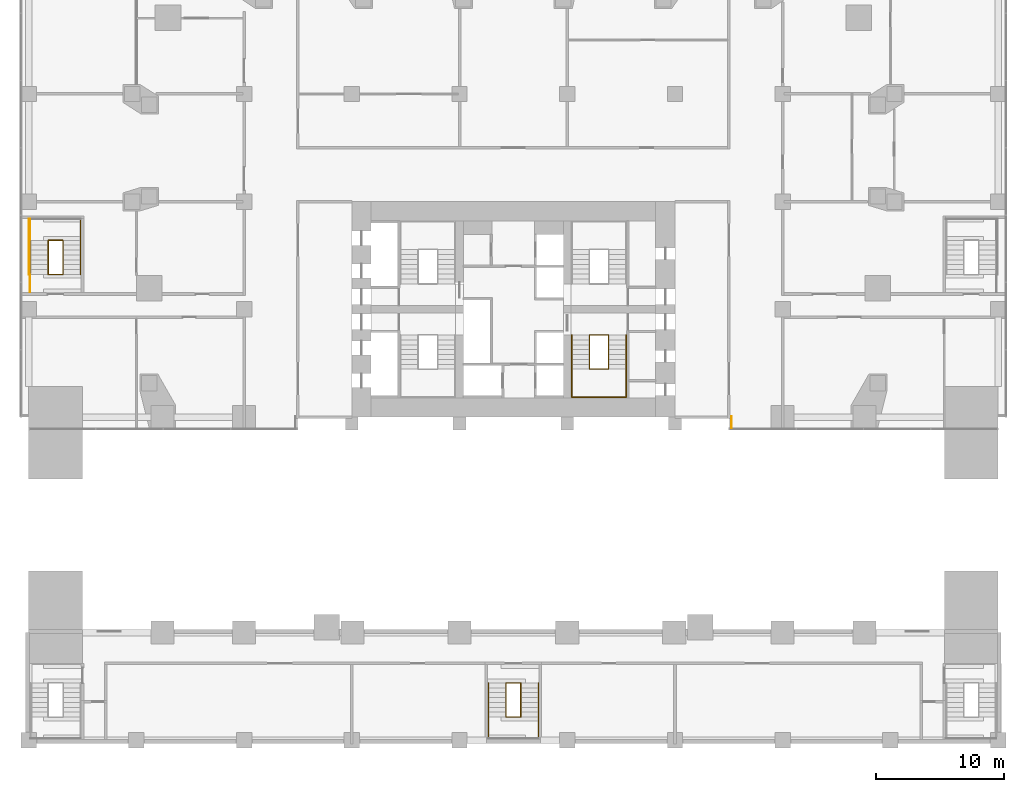
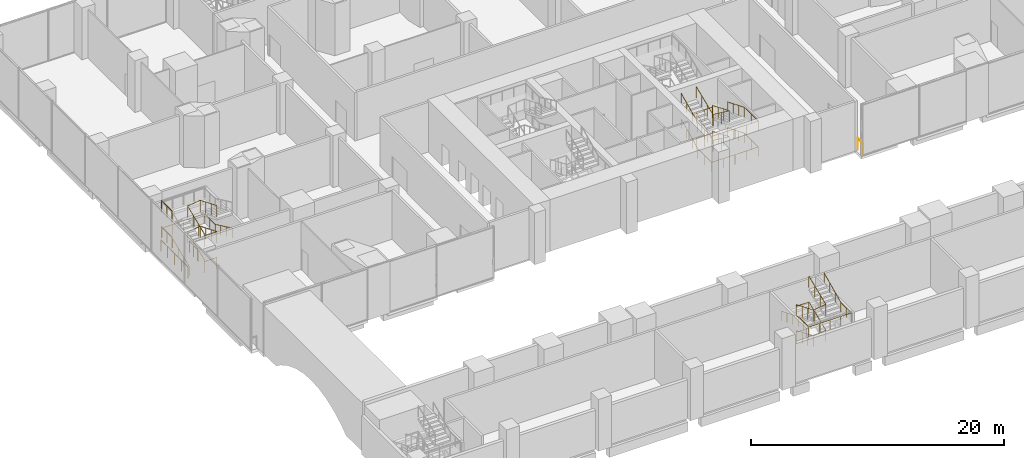
# One storey, part 24 of 28: 15 railings.
"""IFC4 building model written with IfcOpenShell, lengths in metres."""

from ifc_helpers import new_model, si_unit, direction, frame, origin, origin_2d, place, context, subcontext, project, spatial, circle, extrude, material, type_object, element, save


model = new_model("IFC4")

# Units and contexts
model_context = context("Model", 3, precision=1e-05, world=origin(), true_north=direction((0.0, 1.0)))
body_context = subcontext(model_context, "Body", "Model", "MODEL_VIEW")
ifc_project = project(units=[si_unit("LENGTHUNIT", "METRE"), si_unit("AREAUNIT", "SQUARE_METRE"), si_unit("VOLUMEUNIT", "CUBIC_METRE"), si_unit("PLANEANGLEUNIT", "RADIAN"), si_unit("MASSUNIT", "GRAM", prefix="KILO")], contexts=[model_context])

# Site, building, storey
site_placement = place(None, origin())
site = spatial("IfcSite", under=ifc_project, at=site_placement, CompositionType="ELEMENT")
building_placement = place(site_placement, origin())
building = spatial("IfcBuilding", under=site, at=building_placement, Name="Marenta Gate Hotel Tower", CompositionType="ELEMENT")
storey_placement = place(building_placement, frame((0.0, 0.0, 26.0)))
storey = spatial("IfcBuildingStorey", under=building, at=storey_placement, Name="L04", CompositionType="ELEMENT", Elevation=26.0)

# Railings
ifc_material_1 = material(Name="Stainless steel", Category="steel")
railing_type_1 = type_object("IfcRailingType", Name="Core stair handrail 950", PredefinedType="HANDRAIL", material=ifc_material_1)
railing_1_placement = place(storey_placement, frame((8.800048828125, 6.39990234375, 0.15625)))
element("IfcRailing", 1, at=railing_1_placement, inside=storey, type_object=railing_type_1, Name="HR-950 L04-KR-ST3-1", PredefinedType="HANDRAIL", context=body_context, shape_type="SweptSolid", body=[
    extrude(circle(Radius=0.02392578125, at=origin_2d()), frame((0.0, 0.0, 0.92578125), z_axis=(0.0, -0.924862585091, 0.38030145766), x_axis=(1.0, 0.0, 0.0)), (0.0, 0.0, 1.0), 2.8759765625),
    extrude(circle(Radius=0.02392578125, at=origin_2d()), frame((0.0, -2.659912109375, 2.01953125), z_axis=(0.0, -1.0, 0.0), x_axis=(1.0, 0.0, 0.0)), (0.0, 0.0, 1.0), 2.18994140625),
    extrude(circle(Radius=0.02392578125, at=origin_2d()), frame((0.0, -4.849853515625, 2.01953125), z_axis=(-1.0, 0.0, 0.0), x_axis=(0.0, -1.0, 0.0)), (0.0, 0.0, 1.0), 4.25),
    extrude(circle(Radius=0.02392578125, at=origin_2d()), frame((-4.25, -4.849853515625, 2.01953125), z_axis=(0.0, 1.0, 0.0), x_axis=(-1.0, 0.0, 0.0)), (0.0, 0.0, 1.0), 2.18994140625),
    extrude(circle(Radius=0.02392578125, at=origin_2d()), frame((-4.25, -2.659912109375, 2.01953125), z_axis=(0.0, 0.905044486808, 0.425316913488), x_axis=(-1.0, 0.0, 0.0)), (0.0, 0.0, 1.0), 2.93896484375),
    extrude(circle(Radius=0.02099609375, at=origin_2d()), origin(), (0.0, 0.0, 1.0), 0.90185546875),
    extrude(circle(Radius=0.02099609375, at=origin_2d()), frame((0.0, -0.88671875, 0.364501953125)), (0.0, 0.0, 1.0), 0.90185546875),
    extrude(circle(Radius=0.02099609375, at=origin_2d()), frame((0.0, -1.773193359375, 0.729248046875)), (0.0, 0.0, 1.0), 0.90185546875),
    extrude(circle(Radius=0.02099609375, at=origin_2d()), frame((0.0, -2.659912109375, 1.09375)), (0.0, 0.0, 1.0), 0.90185546875),
    extrude(circle(Radius=0.02099609375, at=origin_2d()), frame((0.0, -3.7548828125, 1.09375)), (0.0, 0.0, 1.0), 0.90185546875),
    extrude(circle(Radius=0.02099609375, at=origin_2d()), frame((0.0, -4.849853515625, 1.09375)), (0.0, 0.0, 1.0), 0.90185546875),
    extrude(circle(Radius=0.02099609375, at=origin_2d()), frame((-1.0625, -4.849853515625, 1.09375)), (0.0, 0.0, 1.0), 0.90185546875),
    extrude(circle(Radius=0.02099609375, at=origin_2d()), frame((-2.125, -4.849853515625, 1.09375)), (0.0, 0.0, 1.0), 0.90185546875),
    extrude(circle(Radius=0.02099609375, at=origin_2d()), frame((-3.1875, -4.849853515625, 1.09375)), (0.0, 0.0, 1.0), 0.90185546875),
    extrude(circle(Radius=0.02099609375, at=origin_2d()), frame((-4.25, -4.849853515625, 1.09375)), (0.0, 0.0, 1.0), 0.90185546875),
    extrude(circle(Radius=0.02099609375, at=origin_2d()), frame((-4.25, -3.7548828125, 1.09375)), (0.0, 0.0, 1.0), 0.90185546875),
    extrude(circle(Radius=0.02099609375, at=origin_2d()), frame((-4.25, -2.659912109375, 1.09375)), (0.0, 0.0, 1.0), 0.90185546875),
    extrude(circle(Radius=0.02099609375, at=origin_2d()), frame((-4.25, -1.773193359375, 1.510498046875)), (0.0, 0.0, 1.0), 0.90185546875),
    extrude(circle(Radius=0.02099609375, at=origin_2d()), frame((-4.25, -0.88671875, 1.927001953125)), (0.0, 0.0, 1.0), 0.90185546875),
    extrude(circle(Radius=0.02099609375, at=origin_2d()), frame((-4.25, 0.0, 2.34375)), (0.0, 0.0, 1.0), 0.90185546875),
])
railing_2_placement = place(storey_placement, frame((8.800048828125, 6.39990234375, 2.65625)))
element("IfcRailing", 2, at=railing_2_placement, inside=storey, type_object=railing_type_1, Name="HR-950 L04-KR-ST3-3", PredefinedType="HANDRAIL", context=body_context, shape_type="SweptSolid", body=[
    extrude(circle(Radius=0.02392578125, at=origin_2d()), frame((0.0, 0.0, 0.92578125), z_axis=(0.0, -0.924862585091, 0.38030145766), x_axis=(1.0, 0.0, 0.0)), (0.0, 0.0, 1.0), 2.8759765625),
    extrude(circle(Radius=0.02392578125, at=origin_2d()), frame((0.0, -2.659912109375, 2.01953125), z_axis=(0.0, -1.0, 0.0), x_axis=(1.0, 0.0, 0.0)), (0.0, 0.0, 1.0), 2.18994140625),
    extrude(circle(Radius=0.02392578125, at=origin_2d()), frame((0.0, -4.849853515625, 2.01953125), z_axis=(-1.0, 0.0, 0.0), x_axis=(0.0, -1.0, 0.0)), (0.0, 0.0, 1.0), 4.25),
    extrude(circle(Radius=0.02392578125, at=origin_2d()), frame((-4.25, -4.849853515625, 2.01953125), z_axis=(0.0, 1.0, 0.0), x_axis=(-1.0, 0.0, 0.0)), (0.0, 0.0, 1.0), 2.18994140625),
    extrude(circle(Radius=0.02392578125, at=origin_2d()), frame((-4.25, -2.659912109375, 2.01953125), z_axis=(0.0, 0.905044486808, 0.425316913488), x_axis=(-1.0, 0.0, 0.0)), (0.0, 0.0, 1.0), 2.93896484375),
    extrude(circle(Radius=0.02099609375, at=origin_2d()), origin(), (0.0, 0.0, 1.0), 0.90185546875),
    extrude(circle(Radius=0.02099609375, at=origin_2d()), frame((0.0, -0.88671875, 0.364501953125)), (0.0, 0.0, 1.0), 0.90185546875),
    extrude(circle(Radius=0.02099609375, at=origin_2d()), frame((0.0, -1.773193359375, 0.729248046875)), (0.0, 0.0, 1.0), 0.90185546875),
    extrude(circle(Radius=0.02099609375, at=origin_2d()), frame((0.0, -2.659912109375, 1.09375)), (0.0, 0.0, 1.0), 0.90185546875),
    extrude(circle(Radius=0.02099609375, at=origin_2d()), frame((0.0, -3.7548828125, 1.09375)), (0.0, 0.0, 1.0), 0.90185546875),
    extrude(circle(Radius=0.02099609375, at=origin_2d()), frame((0.0, -4.849853515625, 1.09375)), (0.0, 0.0, 1.0), 0.90185546875),
    extrude(circle(Radius=0.02099609375, at=origin_2d()), frame((-1.0625, -4.849853515625, 1.09375)), (0.0, 0.0, 1.0), 0.90185546875),
    extrude(circle(Radius=0.02099609375, at=origin_2d()), frame((-2.125, -4.849853515625, 1.09375)), (0.0, 0.0, 1.0), 0.90185546875),
    extrude(circle(Radius=0.02099609375, at=origin_2d()), frame((-3.1875, -4.849853515625, 1.09375)), (0.0, 0.0, 1.0), 0.90185546875),
    extrude(circle(Radius=0.02099609375, at=origin_2d()), frame((-4.25, -4.849853515625, 1.09375)), (0.0, 0.0, 1.0), 0.90185546875),
    extrude(circle(Radius=0.02099609375, at=origin_2d()), frame((-4.25, -3.7548828125, 1.09375)), (0.0, 0.0, 1.0), 0.90185546875),
    extrude(circle(Radius=0.02099609375, at=origin_2d()), frame((-4.25, -2.659912109375, 1.09375)), (0.0, 0.0, 1.0), 0.90185546875),
    extrude(circle(Radius=0.02099609375, at=origin_2d()), frame((-4.25, -1.773193359375, 1.510498046875)), (0.0, 0.0, 1.0), 0.90185546875),
    extrude(circle(Radius=0.02099609375, at=origin_2d()), frame((-4.25, -0.88671875, 1.927001953125)), (0.0, 0.0, 1.0), 0.90185546875),
    extrude(circle(Radius=0.02099609375, at=origin_2d()), frame((-4.25, 0.0, 2.34375)), (0.0, 0.0, 1.0), 0.90185546875),
])
railing_3_placement = place(storey_placement, frame((-1.949951171875, -20.72998046875, 2.65625)))
element("IfcRailing", 3, at=railing_3_placement, inside=storey, type_object=railing_type_1, Name="HR-950 L04-KR-PX5-5", PredefinedType="HANDRAIL", context=body_context, shape_type="SweptSolid", body=[
    extrude(circle(Radius=0.02392578125, at=origin_2d()), frame((0.0, 0.0, 0.92578125), z_axis=(0.0, -0.924862585091, 0.38030145766), x_axis=(1.0, 0.0, 0.0)), (0.0, 0.0, 1.0), 2.8759765625),
    extrude(circle(Radius=0.02392578125, at=origin_2d()), frame((0.0, -2.659912109375, 2.01953125), z_axis=(0.0, -1.0, 0.0), x_axis=(1.0, 0.0, 0.0)), (0.0, 0.0, 1.0), 1.66015625),
    extrude(circle(Radius=0.02392578125, at=origin_2d()), frame((0.0, -4.320068359375, 2.01953125), z_axis=(1.0, 0.0, 0.0), x_axis=(0.0, 1.0, 0.0)), (0.0, 0.0, 1.0), 3.89990234375),
    extrude(circle(Radius=0.02392578125, at=origin_2d()), frame((3.89990234375, -4.320068359375, 2.01953125), z_axis=(0.0, 1.0, 0.0), x_axis=(-1.0, 0.0, 0.0)), (0.0, 0.0, 1.0), 1.66015625),
    extrude(circle(Radius=0.02392578125, at=origin_2d()), frame((3.89990234375, -2.659912109375, 2.01953125), z_axis=(0.0, 0.905044486808, 0.425316913488), x_axis=(-1.0, 0.0, 0.0)), (0.0, 0.0, 1.0), 2.93896484375),
    extrude(circle(Radius=0.02099609375, at=origin_2d()), origin(), (0.0, 0.0, 1.0), 0.90185546875),
    extrude(circle(Radius=0.02099609375, at=origin_2d()), frame((0.0, -0.88671875, 0.364501953125)), (0.0, 0.0, 1.0), 0.90185546875),
    extrude(circle(Radius=0.02099609375, at=origin_2d()), frame((0.0, -1.773193359375, 0.729248046875)), (0.0, 0.0, 1.0), 0.90185546875),
    extrude(circle(Radius=0.02099609375, at=origin_2d()), frame((0.0, -2.659912109375, 1.09375)), (0.0, 0.0, 1.0), 0.90185546875),
    extrude(circle(Radius=0.02099609375, at=origin_2d()), frame((0.0, -3.489990234375, 1.09375)), (0.0, 0.0, 1.0), 0.90185546875),
    extrude(circle(Radius=0.02099609375, at=origin_2d()), frame((0.0, -4.320068359375, 1.09375)), (0.0, 0.0, 1.0), 0.90185546875),
    extrude(circle(Radius=0.02099609375, at=origin_2d()), frame((0.97509765625, -4.320068359375, 1.09375)), (0.0, 0.0, 1.0), 0.90185546875),
    extrude(circle(Radius=0.02099609375, at=origin_2d()), frame((1.949951171875, -4.320068359375, 1.09375)), (0.0, 0.0, 1.0), 0.90185546875),
    extrude(circle(Radius=0.02099609375, at=origin_2d()), frame((2.9248046875, -4.320068359375, 1.09375)), (0.0, 0.0, 1.0), 0.90185546875),
    extrude(circle(Radius=0.02099609375, at=origin_2d()), frame((3.89990234375, -4.320068359375, 1.09375)), (0.0, 0.0, 1.0), 0.90185546875),
    extrude(circle(Radius=0.02099609375, at=origin_2d()), frame((3.89990234375, -3.489990234375, 1.09375)), (0.0, 0.0, 1.0), 0.90185546875),
    extrude(circle(Radius=0.02099609375, at=origin_2d()), frame((3.89990234375, -2.659912109375, 1.09375)), (0.0, 0.0, 1.0), 0.90185546875),
    extrude(circle(Radius=0.02099609375, at=origin_2d()), frame((3.89990234375, -1.773193359375, 1.510498046875)), (0.0, 0.0, 1.0), 0.90185546875),
    extrude(circle(Radius=0.02099609375, at=origin_2d()), frame((3.89990234375, -0.88671875, 1.927001953125)), (0.0, 0.0, 1.0), 0.90185546875),
    extrude(circle(Radius=0.02099609375, at=origin_2d()), frame((3.89990234375, 0.0, 2.34375)), (0.0, 0.0, 1.0), 0.90185546875),
])
railing_4_placement = place(storey_placement, frame((-37.64990234375, 11.1298828125, 0.15625)))
element("IfcRailing", 4, at=railing_4_placement, inside=storey, type_object=railing_type_1, Name="HR-950 L04-KR-PX6-2", PredefinedType="HANDRAIL", context=body_context, shape_type="SweptSolid", body=[
    extrude(circle(Radius=0.02392578125, at=origin_2d()), frame((0.0, 0.0, 0.92578125), z_axis=(0.0, 0.924874861033, 0.380271602187), x_axis=(-1.0, 0.0, 0.0)), (0.0, 0.0, 1.0), 2.876220703125),
    extrude(circle(Radius=0.02392578125, at=origin_2d()), frame((0.0, 2.66015625, 2.01953125), z_axis=(0.0, 1.0, 0.0), x_axis=(-1.0, 0.0, 0.0)), (0.0, 0.0, 1.0), 1.659912109375),
    extrude(circle(Radius=0.02392578125, at=origin_2d()), frame((0.0, 4.320068359375, 2.01953125), z_axis=(1.0, 0.0, 0.0), x_axis=(0.0, 1.0, 0.0)), (0.0, 0.0, 1.0), 3.89990234375),
    extrude(circle(Radius=0.02392578125, at=origin_2d()), frame((3.89990234375, 4.320068359375, 2.01953125), z_axis=(0.0, -1.0, 0.0), x_axis=(1.0, 0.0, 0.0)), (0.0, 0.0, 1.0), 1.659912109375),
    extrude(circle(Radius=0.02392578125, at=origin_2d()), frame((3.89990234375, 2.66015625, 2.01953125), z_axis=(0.0, -0.905059511965, 0.425284939543), x_axis=(1.0, 0.0, 0.0)), (0.0, 0.0, 1.0), 2.939208984375),
    extrude(circle(Radius=0.02099609375, at=origin_2d()), origin(), (0.0, 0.0, 1.0), 0.90185546875),
    extrude(circle(Radius=0.02099609375, at=origin_2d()), frame((0.0, 0.88671875, 0.364501953125)), (0.0, 0.0, 1.0), 0.90185546875),
    extrude(circle(Radius=0.02099609375, at=origin_2d()), frame((0.0, 1.7734375, 0.729248046875)), (0.0, 0.0, 1.0), 0.90185546875),
    extrude(circle(Radius=0.02099609375, at=origin_2d()), frame((0.0, 2.66015625, 1.09375)), (0.0, 0.0, 1.0), 0.90185546875),
    extrude(circle(Radius=0.02099609375, at=origin_2d()), frame((0.0, 3.490234375, 1.09375)), (0.0, 0.0, 1.0), 0.90185546875),
    extrude(circle(Radius=0.02099609375, at=origin_2d()), frame((0.0, 4.320068359375, 1.09375)), (0.0, 0.0, 1.0), 0.90185546875),
    extrude(circle(Radius=0.02099609375, at=origin_2d()), frame((0.97509765625, 4.320068359375, 1.09375)), (0.0, 0.0, 1.0), 0.90185546875),
    extrude(circle(Radius=0.02099609375, at=origin_2d()), frame((1.949951171875, 4.320068359375, 1.09375)), (0.0, 0.0, 1.0), 0.90185546875),
    extrude(circle(Radius=0.02099609375, at=origin_2d()), frame((2.9248046875, 4.320068359375, 1.09375)), (0.0, 0.0, 1.0), 0.90185546875),
    extrude(circle(Radius=0.02099609375, at=origin_2d()), frame((3.89990234375, 4.320068359375, 1.09375)), (0.0, 0.0, 1.0), 0.90185546875),
    extrude(circle(Radius=0.02099609375, at=origin_2d()), frame((3.89990234375, 3.490234375, 1.09375)), (0.0, 0.0, 1.0), 0.90185546875),
    extrude(circle(Radius=0.02099609375, at=origin_2d()), frame((3.89990234375, 2.66015625, 1.09375)), (0.0, 0.0, 1.0), 0.90185546875),
    extrude(circle(Radius=0.02099609375, at=origin_2d()), frame((3.89990234375, 1.7734375, 1.510498046875)), (0.0, 0.0, 1.0), 0.90185546875),
    extrude(circle(Radius=0.02099609375, at=origin_2d()), frame((3.89990234375, 0.88671875, 1.927001953125)), (0.0, 0.0, 1.0), 0.90185546875),
    extrude(circle(Radius=0.02099609375, at=origin_2d()), frame((3.89990234375, 0.0, 2.34375)), (0.0, 0.0, 1.0), 0.90185546875),
])
ifc_material_2 = material(Name="Stainless steel", Category="steel")
railing_type_2 = type_object("IfcRailingType", Name="Core stair well guard 1100", PredefinedType="GUARDRAIL", material=ifc_material_2)
railing_5_placement = place(storey_placement, frame((5.929931640625, 6.39990234375, 0.0)))
element("IfcRailing", 5, at=railing_5_placement, inside=storey, type_object=railing_type_2, Name="GR-1100 L04-KR-ST3-2", PredefinedType="GUARDRAIL", context=body_context, shape_type="SweptSolid", body=[
    extrude(circle(Radius=0.02392578125, at=origin_2d()), frame((0.0, 0.0, 1.076171875), z_axis=(1.0, 0.0, 0.0), x_axis=(0.0, 1.0, 0.0)), (0.0, 0.0, 1.0), 1.489990234375),
    extrude(circle(Radius=0.02392578125, at=origin_2d()), frame((1.489990234375, 0.0, 1.076171875), z_axis=(0.0, 0.0, 1.0), x_axis=(1.0, 0.0, 0.0)), (0.0, 0.0, 1.0), 0.15625),
    extrude(circle(Radius=0.02392578125, at=origin_2d()), frame((1.489990234375, 0.0, 1.232421875), z_axis=(0.0, -0.924862585091, 0.38030145766), x_axis=(1.0, 0.0, 0.0)), (0.0, 0.0, 1.0), 2.8759765625),
    extrude(circle(Radius=0.02392578125, at=origin_2d()), frame((1.489990234375, -2.659912109375, 2.326171875), z_axis=(-0.994546451282, 0.0, 0.104294564775), x_axis=(0.0, -1.0, 0.0)), (0.0, 0.0, 1.0), 1.498046875),
    extrude(circle(Radius=0.02392578125, at=origin_2d()), frame((0.0, -2.659912109375, 2.482421875), z_axis=(0.0, 0.924862585091, 0.38030145766), x_axis=(-1.0, 0.0, 0.0)), (0.0, 0.0, 1.0), 2.8759765625),
    extrude(circle(Radius=0.02099609375, at=origin_2d()), origin(), (0.0, 0.0, 1.0), 1.052001953125),
    extrude(circle(Radius=0.02099609375, at=origin_2d()), frame((0.7451171875, 0.0, 0.0)), (0.0, 0.0, 1.0), 1.052001953125),
    extrude(circle(Radius=0.02099609375, at=origin_2d()), frame((1.489990234375, 0.0, 0.0)), (0.0, 0.0, 1.0), 1.052001953125),
    extrude(circle(Radius=0.02099609375, at=origin_2d()), frame((1.489990234375, 0.0, 0.15625)), (0.0, 0.0, 1.0), 1.052001953125),
    extrude(circle(Radius=0.02099609375, at=origin_2d()), frame((1.489990234375, -0.88671875, 0.520751953125)), (0.0, 0.0, 1.0), 1.052001953125),
    extrude(circle(Radius=0.02099609375, at=origin_2d()), frame((1.489990234375, -1.773193359375, 0.885498046875)), (0.0, 0.0, 1.0), 1.052001953125),
    extrude(circle(Radius=0.02099609375, at=origin_2d()), frame((1.489990234375, -2.659912109375, 1.25)), (0.0, 0.0, 1.0), 1.052001953125),
    extrude(circle(Radius=0.02099609375, at=origin_2d()), frame((0.7451171875, -2.659912109375, 1.328125)), (0.0, 0.0, 1.0), 1.052001953125),
    extrude(circle(Radius=0.02099609375, at=origin_2d()), frame((0.0, -2.659912109375, 1.40625)), (0.0, 0.0, 1.0), 1.052001953125),
    extrude(circle(Radius=0.02099609375, at=origin_2d()), frame((0.0, -1.773193359375, 1.770751953125)), (0.0, 0.0, 1.0), 1.052001953125),
    extrude(circle(Radius=0.02099609375, at=origin_2d()), frame((0.0, -0.88671875, 2.135498046875)), (0.0, 0.0, 1.0), 1.052001953125),
    extrude(circle(Radius=0.02099609375, at=origin_2d()), frame((0.0, 0.0, 2.5)), (0.0, 0.0, 1.0), 1.052001953125),
])
railing_6_placement = place(storey_placement, frame((5.929931640625, 6.39990234375, 2.5)))
element("IfcRailing", 6, at=railing_6_placement, inside=storey, type_object=railing_type_2, Name="GR-1100 L04-KR-ST3-4", PredefinedType="GUARDRAIL", context=body_context, shape_type="SweptSolid", body=[
    extrude(circle(Radius=0.02392578125, at=origin_2d()), frame((0.0, 0.0, 1.076171875), z_axis=(1.0, 0.0, 0.0), x_axis=(0.0, 1.0, 0.0)), (0.0, 0.0, 1.0), 1.489990234375),
    extrude(circle(Radius=0.02392578125, at=origin_2d()), frame((1.489990234375, 0.0, 1.076171875), z_axis=(0.0, 0.0, 1.0), x_axis=(1.0, 0.0, 0.0)), (0.0, 0.0, 1.0), 0.15625),
    extrude(circle(Radius=0.02392578125, at=origin_2d()), frame((1.489990234375, 0.0, 1.232421875), z_axis=(0.0, -0.924862585091, 0.38030145766), x_axis=(1.0, 0.0, 0.0)), (0.0, 0.0, 1.0), 2.8759765625),
    extrude(circle(Radius=0.02392578125, at=origin_2d()), frame((1.489990234375, -2.659912109375, 2.326171875), z_axis=(-0.994546451282, 0.0, 0.104294564775), x_axis=(0.0, -1.0, 0.0)), (0.0, 0.0, 1.0), 1.498046875),
    extrude(circle(Radius=0.02392578125, at=origin_2d()), frame((0.0, -2.659912109375, 2.482421875), z_axis=(0.0, 0.924862585091, 0.38030145766), x_axis=(-1.0, 0.0, 0.0)), (0.0, 0.0, 1.0), 2.8759765625),
    extrude(circle(Radius=0.02099609375, at=origin_2d()), origin(), (0.0, 0.0, 1.0), 1.052001953125),
    extrude(circle(Radius=0.02099609375, at=origin_2d()), frame((0.7451171875, 0.0, 0.0)), (0.0, 0.0, 1.0), 1.052001953125),
    extrude(circle(Radius=0.02099609375, at=origin_2d()), frame((1.489990234375, 0.0, 0.0)), (0.0, 0.0, 1.0), 1.052001953125),
    extrude(circle(Radius=0.02099609375, at=origin_2d()), frame((1.489990234375, 0.0, 0.15625)), (0.0, 0.0, 1.0), 1.052001953125),
    extrude(circle(Radius=0.02099609375, at=origin_2d()), frame((1.489990234375, -0.88671875, 0.520751953125)), (0.0, 0.0, 1.0), 1.052001953125),
    extrude(circle(Radius=0.02099609375, at=origin_2d()), frame((1.489990234375, -1.773193359375, 0.885498046875)), (0.0, 0.0, 1.0), 1.052001953125),
    extrude(circle(Radius=0.02099609375, at=origin_2d()), frame((1.489990234375, -2.659912109375, 1.25)), (0.0, 0.0, 1.0), 1.052001953125),
    extrude(circle(Radius=0.02099609375, at=origin_2d()), frame((0.7451171875, -2.659912109375, 1.328125)), (0.0, 0.0, 1.0), 1.052001953125),
    extrude(circle(Radius=0.02099609375, at=origin_2d()), frame((0.0, -2.659912109375, 1.40625)), (0.0, 0.0, 1.0), 1.052001953125),
    extrude(circle(Radius=0.02099609375, at=origin_2d()), frame((0.0, -1.773193359375, 1.770751953125)), (0.0, 0.0, 1.0), 1.052001953125),
    extrude(circle(Radius=0.02099609375, at=origin_2d()), frame((0.0, -0.88671875, 2.135498046875)), (0.0, 0.0, 1.0), 1.052001953125),
    extrude(circle(Radius=0.02099609375, at=origin_2d()), frame((0.0, 0.0, 2.5)), (0.0, 0.0, 1.0), 1.052001953125),
])
railing_7_placement = place(storey_placement, frame((0.570068359375, -20.72998046875, 0.0)))
element("IfcRailing", 7, at=railing_7_placement, inside=storey, type_object=railing_type_2, Name="GR-1100 L04-KR-PX5-3", PredefinedType="GUARDRAIL", context=body_context, shape_type="SweptSolid", body=[
    extrude(circle(Radius=0.02392578125, at=origin_2d()), frame((0.0, 0.0, 1.076171875), z_axis=(-1.0, 0.0, 0.0), x_axis=(0.0, -1.0, 0.0)), (0.0, 0.0, 1.0), 1.14013671875),
    extrude(circle(Radius=0.02392578125, at=origin_2d()), frame((-1.14013671875, 0.0, 1.076171875), z_axis=(0.0, 0.0, 1.0), x_axis=(1.0, 0.0, 0.0)), (0.0, 0.0, 1.0), 0.15625),
    extrude(circle(Radius=0.02392578125, at=origin_2d()), frame((-1.14013671875, 0.0, 1.232421875), z_axis=(0.0, -0.924862585091, 0.38030145766), x_axis=(1.0, 0.0, 0.0)), (0.0, 0.0, 1.0), 2.8759765625),
    extrude(circle(Radius=0.02392578125, at=origin_2d()), frame((-1.14013671875, -2.659912109375, 2.326171875), z_axis=(0.990739578357, 0.0, 0.135775873693), x_axis=(0.0, 1.0, 0.0)), (0.0, 0.0, 1.0), 1.15087890625),
    extrude(circle(Radius=0.02392578125, at=origin_2d()), frame((0.0, -2.659912109375, 2.482421875), z_axis=(0.0, 0.924862585091, 0.38030145766), x_axis=(-1.0, 0.0, 0.0)), (0.0, 0.0, 1.0), 2.8759765625),
    extrude(circle(Radius=0.02099609375, at=origin_2d()), origin(), (0.0, 0.0, 1.0), 1.052001953125),
    extrude(circle(Radius=0.02099609375, at=origin_2d()), frame((-1.14013671875, 0.0, 0.0)), (0.0, 0.0, 1.0), 1.052001953125),
    extrude(circle(Radius=0.02099609375, at=origin_2d()), frame((-1.14013671875, 0.0, 0.15625)), (0.0, 0.0, 1.0), 1.052001953125),
    extrude(circle(Radius=0.02099609375, at=origin_2d()), frame((-1.14013671875, -0.88671875, 0.520751953125)), (0.0, 0.0, 1.0), 1.052001953125),
    extrude(circle(Radius=0.02099609375, at=origin_2d()), frame((-1.14013671875, -1.773193359375, 0.885498046875)), (0.0, 0.0, 1.0), 1.052001953125),
    extrude(circle(Radius=0.02099609375, at=origin_2d()), frame((-1.14013671875, -2.659912109375, 1.25)), (0.0, 0.0, 1.0), 1.052001953125),
    extrude(circle(Radius=0.02099609375, at=origin_2d()), frame((0.0, -2.659912109375, 1.40625)), (0.0, 0.0, 1.0), 1.052001953125),
    extrude(circle(Radius=0.02099609375, at=origin_2d()), frame((0.0, -1.773193359375, 1.770751953125)), (0.0, 0.0, 1.0), 1.052001953125),
    extrude(circle(Radius=0.02099609375, at=origin_2d()), frame((0.0, -0.88671875, 2.135498046875)), (0.0, 0.0, 1.0), 1.052001953125),
    extrude(circle(Radius=0.02099609375, at=origin_2d()), frame((0.0, 0.0, 2.5)), (0.0, 0.0, 1.0), 1.052001953125),
])
railing_8_placement = place(storey_placement, frame((0.570068359375, -20.72998046875, 2.5)))
element("IfcRailing", 8, at=railing_8_placement, inside=storey, type_object=railing_type_2, Name="GR-1100 L04-KR-PX5-6", PredefinedType="GUARDRAIL", context=body_context, shape_type="SweptSolid", body=[
    extrude(circle(Radius=0.02392578125, at=origin_2d()), frame((0.0, 0.0, 1.076171875), z_axis=(-1.0, 0.0, 0.0), x_axis=(0.0, -1.0, 0.0)), (0.0, 0.0, 1.0), 1.14013671875),
    extrude(circle(Radius=0.02392578125, at=origin_2d()), frame((-1.14013671875, 0.0, 1.076171875), z_axis=(0.0, 0.0, 1.0), x_axis=(1.0, 0.0, 0.0)), (0.0, 0.0, 1.0), 0.15625),
    extrude(circle(Radius=0.02392578125, at=origin_2d()), frame((-1.14013671875, 0.0, 1.232421875), z_axis=(0.0, -0.924862585091, 0.38030145766), x_axis=(1.0, 0.0, 0.0)), (0.0, 0.0, 1.0), 2.8759765625),
    extrude(circle(Radius=0.02392578125, at=origin_2d()), frame((-1.14013671875, -2.659912109375, 2.326171875), z_axis=(0.990739578357, 0.0, 0.135775873693), x_axis=(0.0, 1.0, 0.0)), (0.0, 0.0, 1.0), 1.15087890625),
    extrude(circle(Radius=0.02392578125, at=origin_2d()), frame((0.0, -2.659912109375, 2.482421875), z_axis=(0.0, 0.924862585091, 0.38030145766), x_axis=(-1.0, 0.0, 0.0)), (0.0, 0.0, 1.0), 2.8759765625),
    extrude(circle(Radius=0.02099609375, at=origin_2d()), origin(), (0.0, 0.0, 1.0), 1.052001953125),
    extrude(circle(Radius=0.02099609375, at=origin_2d()), frame((-1.14013671875, 0.0, 0.0)), (0.0, 0.0, 1.0), 1.052001953125),
    extrude(circle(Radius=0.02099609375, at=origin_2d()), frame((-1.14013671875, 0.0, 0.15625)), (0.0, 0.0, 1.0), 1.052001953125),
    extrude(circle(Radius=0.02099609375, at=origin_2d()), frame((-1.14013671875, -0.88671875, 0.520751953125)), (0.0, 0.0, 1.0), 1.052001953125),
    extrude(circle(Radius=0.02099609375, at=origin_2d()), frame((-1.14013671875, -1.773193359375, 0.885498046875)), (0.0, 0.0, 1.0), 1.052001953125),
    extrude(circle(Radius=0.02099609375, at=origin_2d()), frame((-1.14013671875, -2.659912109375, 1.25)), (0.0, 0.0, 1.0), 1.052001953125),
    extrude(circle(Radius=0.02099609375, at=origin_2d()), frame((0.0, -2.659912109375, 1.40625)), (0.0, 0.0, 1.0), 1.052001953125),
    extrude(circle(Radius=0.02099609375, at=origin_2d()), frame((0.0, -1.773193359375, 1.770751953125)), (0.0, 0.0, 1.0), 1.052001953125),
    extrude(circle(Radius=0.02099609375, at=origin_2d()), frame((0.0, -0.88671875, 2.135498046875)), (0.0, 0.0, 1.0), 1.052001953125),
    extrude(circle(Radius=0.02099609375, at=origin_2d()), frame((0.0, 0.0, 2.5)), (0.0, 0.0, 1.0), 1.052001953125),
])
railing_9_placement = place(storey_placement, frame((-35.1298828125, 11.1298828125, 0.0)))
element("IfcRailing", 9, at=railing_9_placement, inside=storey, type_object=railing_type_2, Name="GR-1100 L04-KR-PX6-3", PredefinedType="GUARDRAIL", context=body_context, shape_type="SweptSolid", body=[
    extrude(circle(Radius=0.02392578125, at=origin_2d()), frame((0.0, 0.0, 1.076171875), z_axis=(-1.0, 0.0, 0.0), x_axis=(0.0, -1.0, 0.0)), (0.0, 0.0, 1.0), 1.14013671875),
    extrude(circle(Radius=0.02392578125, at=origin_2d()), frame((-1.14013671875, 0.0, 1.076171875), z_axis=(0.0, 0.0, 1.0), x_axis=(1.0, 0.0, 0.0)), (0.0, 0.0, 1.0), 0.15625),
    extrude(circle(Radius=0.02392578125, at=origin_2d()), frame((-1.14013671875, 0.0, 1.232421875), z_axis=(0.0, 0.924874861033, 0.380271602187), x_axis=(-1.0, 0.0, 0.0)), (0.0, 0.0, 1.0), 2.876220703125),
    extrude(circle(Radius=0.02392578125, at=origin_2d()), frame((-1.14013671875, 2.66015625, 2.326171875), z_axis=(0.990739578357, 0.0, 0.135775873693), x_axis=(0.0, 1.0, 0.0)), (0.0, 0.0, 1.0), 1.15087890625),
    extrude(circle(Radius=0.02392578125, at=origin_2d()), frame((0.0, 2.66015625, 2.482421875), z_axis=(0.0, -0.924874861033, 0.380271602187), x_axis=(1.0, 0.0, 0.0)), (0.0, 0.0, 1.0), 2.876220703125),
    extrude(circle(Radius=0.02099609375, at=origin_2d()), origin(), (0.0, 0.0, 1.0), 1.052001953125),
    extrude(circle(Radius=0.02099609375, at=origin_2d()), frame((-1.14013671875, 0.0, 0.0)), (0.0, 0.0, 1.0), 1.052001953125),
    extrude(circle(Radius=0.02099609375, at=origin_2d()), frame((-1.14013671875, 0.0, 0.15625)), (0.0, 0.0, 1.0), 1.052001953125),
    extrude(circle(Radius=0.02099609375, at=origin_2d()), frame((-1.14013671875, 0.88671875, 0.520751953125)), (0.0, 0.0, 1.0), 1.052001953125),
    extrude(circle(Radius=0.02099609375, at=origin_2d()), frame((-1.14013671875, 1.7734375, 0.885498046875)), (0.0, 0.0, 1.0), 1.052001953125),
    extrude(circle(Radius=0.02099609375, at=origin_2d()), frame((-1.14013671875, 2.66015625, 1.25)), (0.0, 0.0, 1.0), 1.052001953125),
    extrude(circle(Radius=0.02099609375, at=origin_2d()), frame((0.0, 2.66015625, 1.40625)), (0.0, 0.0, 1.0), 1.052001953125),
    extrude(circle(Radius=0.02099609375, at=origin_2d()), frame((0.0, 1.7734375, 1.770751953125)), (0.0, 0.0, 1.0), 1.052001953125),
    extrude(circle(Radius=0.02099609375, at=origin_2d()), frame((0.0, 0.88671875, 2.135498046875)), (0.0, 0.0, 1.0), 1.052001953125),
    extrude(circle(Radius=0.02099609375, at=origin_2d()), frame((0.0, 0.0, 2.5)), (0.0, 0.0, 1.0), 1.052001953125),
])
railing_10_placement = place(storey_placement, frame((-35.1298828125, 11.1298828125, 2.5)))
element("IfcRailing", 10, at=railing_10_placement, inside=storey, type_object=railing_type_2, Name="GR-1100 L04-KR-PX6-6", PredefinedType="GUARDRAIL", context=body_context, shape_type="SweptSolid", body=[
    extrude(circle(Radius=0.02392578125, at=origin_2d()), frame((0.0, 0.0, 1.076171875), z_axis=(-1.0, 0.0, 0.0), x_axis=(0.0, -1.0, 0.0)), (0.0, 0.0, 1.0), 1.14013671875),
    extrude(circle(Radius=0.02392578125, at=origin_2d()), frame((-1.14013671875, 0.0, 1.076171875), z_axis=(0.0, 0.0, 1.0), x_axis=(1.0, 0.0, 0.0)), (0.0, 0.0, 1.0), 0.15625),
    extrude(circle(Radius=0.02392578125, at=origin_2d()), frame((-1.14013671875, 0.0, 1.232421875), z_axis=(0.0, 0.924874861033, 0.380271602187), x_axis=(-1.0, 0.0, 0.0)), (0.0, 0.0, 1.0), 2.876220703125),
    extrude(circle(Radius=0.02392578125, at=origin_2d()), frame((-1.14013671875, 2.66015625, 2.326171875), z_axis=(0.990739578357, 0.0, 0.135775873693), x_axis=(0.0, 1.0, 0.0)), (0.0, 0.0, 1.0), 1.15087890625),
    extrude(circle(Radius=0.02392578125, at=origin_2d()), frame((0.0, 2.66015625, 2.482421875), z_axis=(0.0, -0.924874861033, 0.380271602187), x_axis=(1.0, 0.0, 0.0)), (0.0, 0.0, 1.0), 2.876220703125),
    extrude(circle(Radius=0.02099609375, at=origin_2d()), origin(), (0.0, 0.0, 1.0), 1.052001953125),
    extrude(circle(Radius=0.02099609375, at=origin_2d()), frame((-1.14013671875, 0.0, 0.0)), (0.0, 0.0, 1.0), 1.052001953125),
    extrude(circle(Radius=0.02099609375, at=origin_2d()), frame((-1.14013671875, 0.0, 0.15625)), (0.0, 0.0, 1.0), 1.052001953125),
    extrude(circle(Radius=0.02099609375, at=origin_2d()), frame((-1.14013671875, 0.88671875, 0.520751953125)), (0.0, 0.0, 1.0), 1.052001953125),
    extrude(circle(Radius=0.02099609375, at=origin_2d()), frame((-1.14013671875, 1.7734375, 0.885498046875)), (0.0, 0.0, 1.0), 1.052001953125),
    extrude(circle(Radius=0.02099609375, at=origin_2d()), frame((-1.14013671875, 2.66015625, 1.25)), (0.0, 0.0, 1.0), 1.052001953125),
    extrude(circle(Radius=0.02099609375, at=origin_2d()), frame((0.0, 2.66015625, 1.40625)), (0.0, 0.0, 1.0), 1.052001953125),
    extrude(circle(Radius=0.02099609375, at=origin_2d()), frame((0.0, 1.7734375, 1.770751953125)), (0.0, 0.0, 1.0), 1.052001953125),
    extrude(circle(Radius=0.02099609375, at=origin_2d()), frame((0.0, 0.88671875, 2.135498046875)), (0.0, 0.0, 1.0), 1.052001953125),
    extrude(circle(Radius=0.02099609375, at=origin_2d()), frame((0.0, 0.0, 2.5)), (0.0, 0.0, 1.0), 1.052001953125),
])
railing_11_placement = place(storey_placement, frame((-37.679931640625, 13.840087890625, 1.25)))
element("IfcRailing", 11, at=railing_11_placement, inside=storey, type_object=railing_type_2, Name="GR-1100 L04-KR-PX6-7", PredefinedType="GUARDRAIL", context=body_context, shape_type="SweptSolid", body=[
    extrude(circle(Radius=0.02392578125, at=origin_2d()), frame((0.0, 0.0, 1.076171875), z_axis=(0.0, 1.0, 0.0), x_axis=(-1.0, 0.0, 0.0)), (0.0, 0.0, 1.0), 1.60986328125),
    extrude(circle(Radius=0.02099609375, at=origin_2d()), origin(), (0.0, 0.0, 1.0), 1.052001953125),
    extrude(circle(Radius=0.02099609375, at=origin_2d()), frame((0.0, 0.804931640625, 0.0)), (0.0, 0.0, 1.0), 1.052001953125),
    extrude(circle(Radius=0.02099609375, at=origin_2d()), frame((0.0, 1.60986328125, 0.0)), (0.0, 0.0, 1.0), 1.052001953125),
])
railing_12_placement = place(storey_placement, frame((-37.679931640625, 9.75, 2.5)))
element("IfcRailing", 12, at=railing_12_placement, inside=storey, type_object=railing_type_2, Name="GR-1100 L04-KR-PX6-8", PredefinedType="GUARDRAIL", context=body_context, shape_type="SweptSolid", body=[
    extrude(circle(Radius=0.02392578125, at=origin_2d()), frame((0.0, 0.0, 1.076171875), z_axis=(0.0, 1.0, 0.0), x_axis=(-1.0, 0.0, 0.0)), (0.0, 0.0, 1.0), 1.330078125),
    extrude(circle(Radius=0.02099609375, at=origin_2d()), origin(), (0.0, 0.0, 1.0), 1.052001953125),
    extrude(circle(Radius=0.02099609375, at=origin_2d()), frame((0.0, 0.6650390625, 0.0)), (0.0, 0.0, 1.0), 1.052001953125),
    extrude(circle(Radius=0.02099609375, at=origin_2d()), frame((0.0, 1.330078125, 0.0)), (0.0, 0.0, 1.0), 1.052001953125),
])
railing_13_placement = place(storey_placement, frame((-37.679931640625, 13.840087890625, 3.75)))
element("IfcRailing", 13, at=railing_13_placement, inside=storey, type_object=railing_type_2, Name="GR-1100 L04-KR-PX6-9", PredefinedType="GUARDRAIL", context=body_context, shape_type="SweptSolid", body=[
    extrude(circle(Radius=0.02392578125, at=origin_2d()), frame((0.0, 0.0, 1.076171875), z_axis=(0.0, 1.0, 0.0), x_axis=(-1.0, 0.0, 0.0)), (0.0, 0.0, 1.0), 1.60986328125),
    extrude(circle(Radius=0.02099609375, at=origin_2d()), origin(), (0.0, 0.0, 1.0), 1.052001953125),
    extrude(circle(Radius=0.02099609375, at=origin_2d()), frame((0.0, 0.804931640625, 0.0)), (0.0, 0.0, 1.0), 1.052001953125),
    extrude(circle(Radius=0.02099609375, at=origin_2d()), frame((0.0, 1.60986328125, 0.0)), (0.0, 0.0, 1.0), 1.052001953125),
])
ifc_material_3 = material(Name="Stainless steel", Category="steel")
railing_type_3 = type_object("IfcRailingType", Name="Slab edge guard 1100", PredefinedType="GUARDRAIL", material=ifc_material_3)
railing_14_placement = place(storey_placement, frame((17.0, -0.85009765625, 0.0)))
element("IfcRailing", 14, at=railing_14_placement, inside=storey, type_object=railing_type_3, Name="GR-1100E L04-PGD-E", PredefinedType="GUARDRAIL", context=body_context, shape_type="SweptSolid", body=[
    extrude(circle(Radius=0.02392578125, at=origin_2d()), frame((0.0, 0.0, 1.076171875), z_axis=(0.0, 1.0, 0.0), x_axis=(-1.0, 0.0, 0.0)), (0.0, 0.0, 1.0), 0.900146484375),
    extrude(circle(Radius=0.02099609375, at=origin_2d()), origin(), (0.0, 0.0, 1.0), 1.052001953125),
    extrude(circle(Radius=0.02099609375, at=origin_2d()), frame((0.0, 0.900146484375, 0.0)), (0.0, 0.0, 1.0), 1.052001953125),
])
railing_15_placement = place(storey_placement, frame((-37.760009765625, 11.1298828125, 0.0)))
element("IfcRailing", 15, at=railing_15_placement, inside=storey, type_object=railing_type_3, Name="GR-1100E L04-PGS-PX6-3", PredefinedType="GUARDRAIL", context=body_context, shape_type="SweptSolid", body=[
    extrude(circle(Radius=0.02392578125, at=origin_2d()), frame((0.0, 0.0, 1.076171875), z_axis=(0.0, 1.0, 0.0), x_axis=(-1.0, 0.0, 0.0)), (0.0, 0.0, 1.0), 4.320068359375),
    extrude(circle(Radius=0.02099609375, at=origin_2d()), origin(), (0.0, 0.0, 1.0), 1.052001953125),
    extrude(circle(Radius=0.02099609375, at=origin_2d()), frame((0.0, 1.080078125, 0.0)), (0.0, 0.0, 1.0), 1.052001953125),
    extrude(circle(Radius=0.02099609375, at=origin_2d()), frame((0.0, 2.16015625, 0.0)), (0.0, 0.0, 1.0), 1.052001953125),
    extrude(circle(Radius=0.02099609375, at=origin_2d()), frame((0.0, 3.239990234375, 0.0)), (0.0, 0.0, 1.0), 1.052001953125),
    extrude(circle(Radius=0.02099609375, at=origin_2d()), frame((0.0, 4.320068359375, 0.0)), (0.0, 0.0, 1.0), 1.052001953125),
])

save(model, "model.ifc")
